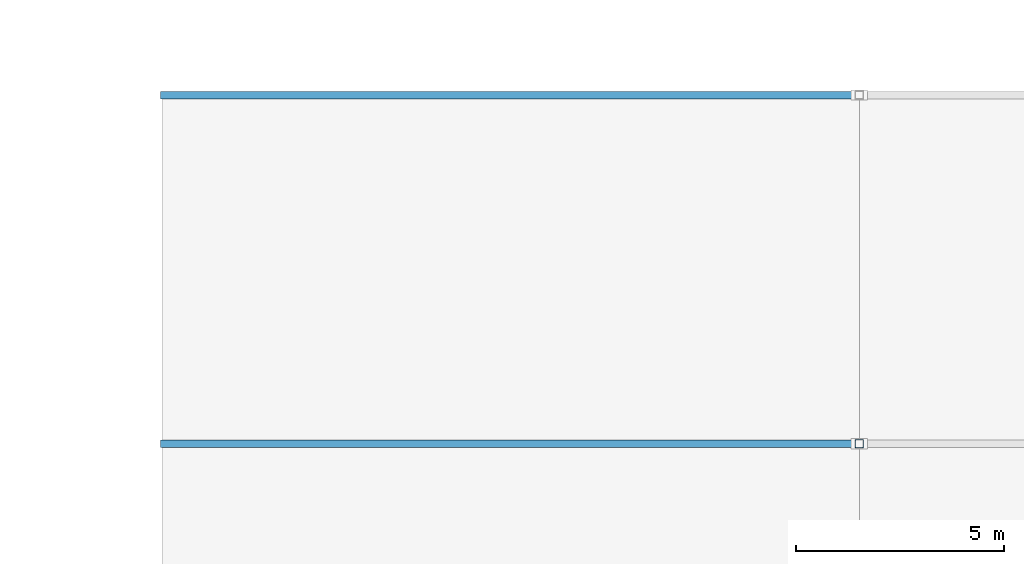
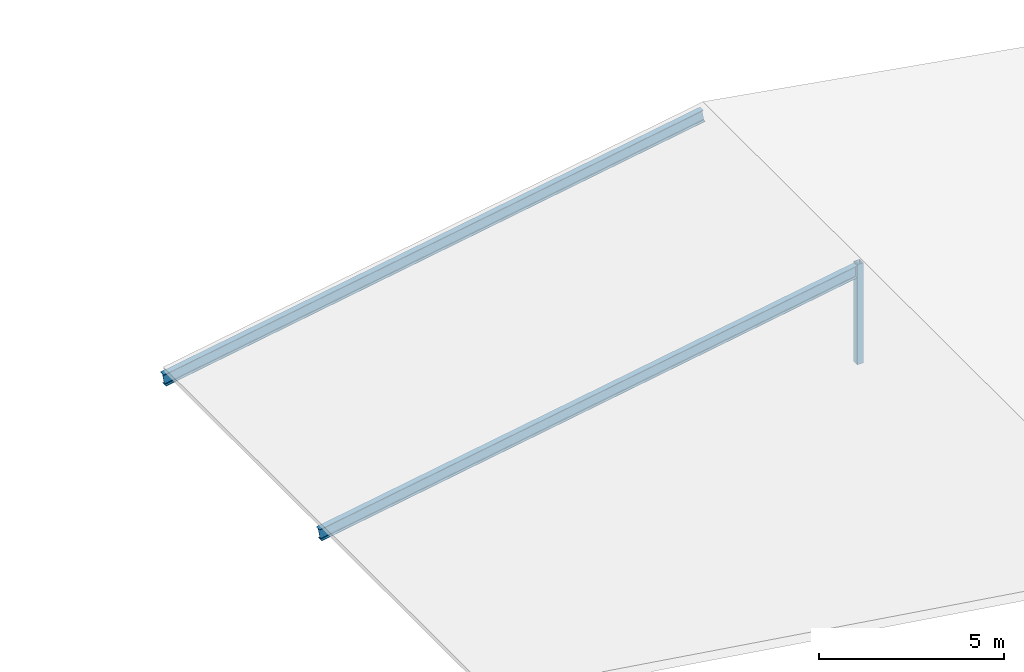
# One storey, part 13 of 31: 2 beams, 1 member.
"""IFC4 building model written with IfcOpenShell, lengths in metres."""

from ifc_helpers import new_model, si_unit, direction, frame, origin, origin_2d, place, context, subcontext, project, spatial, hollow_rectangle, i_section, extrude, material, material_profile, profile_set, type_object, element, save


model = new_model("IFC4")

# Units and contexts
model_context = context("Model", 3, precision=1e-05, world=origin(), true_north=direction((0.0, 1.0)))
body_context = subcontext(model_context, "Body", "Model", "MODEL_VIEW")
ifc_project = project(units=[si_unit("LENGTHUNIT", "METRE"), si_unit("AREAUNIT", "SQUARE_METRE"), si_unit("VOLUMEUNIT", "CUBIC_METRE"), si_unit("PLANEANGLEUNIT", "RADIAN"), si_unit("MASSUNIT", "GRAM", prefix="KILO")], contexts=[model_context])

# Site, building, storey
site_placement = place(None, origin())
site = spatial("IfcSite", under=ifc_project, at=site_placement, CompositionType="ELEMENT")
building_placement = place(site_placement, origin())
building = spatial("IfcBuilding", under=site, at=building_placement, Name="Varnapada Polytechnic", CompositionType="ELEMENT")
storey_placement = place(building_placement, frame((0.0, 0.0, 22.199951171875)))
storey = spatial("IfcBuildingStorey", under=building, at=storey_placement, Name="L05", CompositionType="ELEMENT", Elevation=22.199951171875)

# Beams
ifc_material = material(Name="Steel S355", Category="steel")
ifc_material_profile_1 = material_profile(ifc_material, i_section(OverallWidth=0.179931640625, OverallDepth=0.39990234375, WebThickness=0.008544921875, FlangeThickness=0.013427734375, FilletRadius=0.02099609375, at=origin_2d()), Name="IPE 400")
ifc_profile_set_1 = profile_set([ifc_material_profile_1], Name="Steel S355")
beam_type = type_object("IfcBeamType", Name="Library hipped roof rafter SB-06 (IPE 400)", PredefinedType="BEAM", material=ifc_profile_set_1)
for number, where, z_axis, x_axis, name in (
    (1, (142.800048828125, 109.199951171875, 0.2099609375), (0.986009811831, 0.0, 0.166687284976), (0.0, 1.0, 0.0), "Library west pitched rafter Y14"),
    (2, (142.800048828125, 117.60009765625, 0.2099609375), (0.986009811831, 0.0, 0.166687284976), (0.0, 1.0, 0.0), "Library west pitched rafter Y15"),
):
    element("IfcBeam", number, at=place(storey_placement, frame(where, z_axis=z_axis, x_axis=x_axis)), inside=storey, type_object=beam_type, Name=name, PredefinedType="BEAM", context=body_context, shape_type="SweptSolid", body=[
        extrude(i_section(OverallWidth=0.179931640625, OverallDepth=0.39990234375, WebThickness=0.008544921875, FlangeThickness=0.013427734375, FilletRadius=0.02099609375, at=origin_2d()), origin(), (0.0, 0.0, 1.0), 17.038330078125),
    ])

# Member
ifc_material_profile_2 = material_profile(ifc_material, hollow_rectangle(XDim=0.199951171875, YDim=0.199951171875, WallThickness=0.008056640625, InnerFilletRadius=0.008056640625, OuterFilletRadius=0.01611328125, at=origin_2d()), Name="SHS 200x200x8")
ifc_profile_set_2 = profile_set([ifc_material_profile_2], Name="Steel S355")
member_type = type_object("IfcMemberType", Name="Roof clerestory king post SFP-01 (SHS 200x200x8)", PredefinedType="POST", material=ifc_profile_set_2)
member_placement = place(storey_placement, frame((159.60009765625, 109.199951171875, -0.02001953125), z_axis=(0.0, 0.0, 1.0), x_axis=(1.0, 0.0, 0.0)))
element("IfcMember", 3, at=member_placement, inside=storey, type_object=member_type, Name="Library ridge strut Y14", PredefinedType="POST", context=body_context, shape_type="SweptSolid", body=[
    extrude(hollow_rectangle(XDim=0.199951171875, YDim=0.199951171875, WallThickness=0.008056640625, InnerFilletRadius=0.008056640625, OuterFilletRadius=0.01611328125, at=origin_2d()), origin(), (0.0, 0.0, 1.0), 3.300048828125),
])

save(model, "model.ifc")
